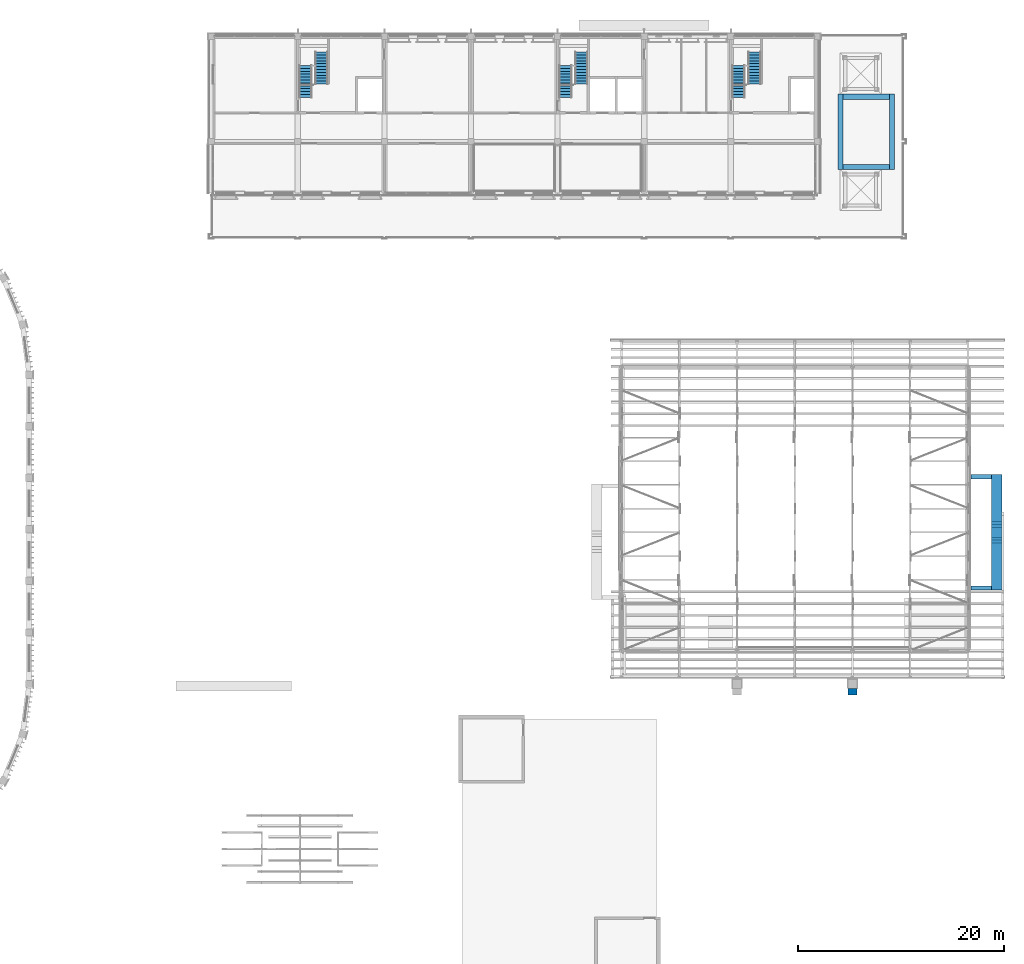
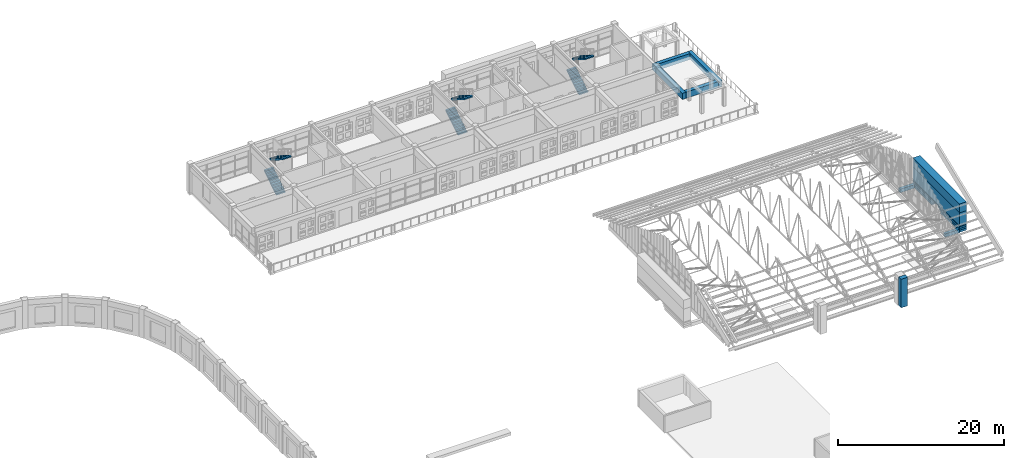
# One storey, part 45 of 71: 16 walls, 6 stair flights, 3 elements without a shape of their own.
"""IFC4 building model written with IfcOpenShell, lengths in metres."""

import ifcopenshell
import ifcopenshell.guid

model = None  # the IFC model being written
_history = None  # IfcOwnerHistory: only IFC2X3 demands one
_inside = {}  # id of a spatial element -> (the spatial element, [elements in it])
_under = {}  # id of a project, library or spatial element -> (it, [spatial elements below it])
_declared = {}  # id of a project -> (the project, [libraries it declares])
_typed = {}  # id of a type object -> (the type object, [elements of that type])
_made_of = {}  # id of a material, layer set ... -> (it, [elements and type objects made of it])


def new_model(schema):
    """Start an empty IFC model of exactly this schema.

    Asked for "IFC4X3", IfcOpenShell would pick the latest addendum, in which some entities
    have other attributes; the version numbers below select the first issue.
    IFC2X3 requires an IfcOwnerHistory on every rooted entity: one is made here for all.
    """
    global model, _history
    if schema == "IFC4X3":
        model = ifcopenshell.file(schema_version=(4, 3, 0, 0))
    else:
        model = ifcopenshell.file(schema=schema)
    _inside.clear()
    _under.clear()
    _declared.clear()
    _typed.clear()
    _made_of.clear()
    _history = None
    if model.schema == "IFC2X3":
        org = make("IfcOrganization", Name="unknown")
        user = make(
            "IfcPersonAndOrganization",
            ThePerson=make("IfcPerson", FamilyName="unknown"),
            TheOrganization=org,
        )
        app = make(
            "IfcApplication",
            ApplicationDeveloper=org,
            Version="unknown",
            ApplicationFullName="unknown",
            ApplicationIdentifier="unknown",
        )
        _history = make(
            "IfcOwnerHistory",
            OwningUser=user,
            OwningApplication=app,
            ChangeAction="ADDED",
            CreationDate=0,
        )
    return model


def make(cls, **values):
    """One entity of the class cls with the attributes given. An attribute that is None is left unset."""
    return model.create_entity(
        cls, **{name: value for name, value in values.items() if value is not None}
    )


def rooted(cls, **values):
    """An entity with a GlobalId (a new one), such as an element, a storey or a relation."""
    return make(cls, GlobalId=ifcopenshell.guid.new(), OwnerHistory=_history, **values)


def si_unit(unit_type, name, prefix=None):
    """IfcSIUnit, for example si_unit("LENGTHUNIT", "METRE", prefix="MILLI")."""
    return make("IfcSIUnit", UnitType=unit_type, Prefix=prefix, Name=name)


def assignment(units):
    """IfcUnitAssignment: the units of a project."""
    return None if units is None else make("IfcUnitAssignment", Units=units)


def point(xyz):
    """IfcCartesianPoint."""
    return None if xyz is None else make("IfcCartesianPoint", Coordinates=xyz)


def direction(xyz):
    """IfcDirection."""
    return None if xyz is None else make("IfcDirection", DirectionRatios=xyz)


def frame(location, z_axis=None, x_axis=None):
    """IfcAxis2Placement3D, a coordinate frame: its origin and axes. An axis left out is left unset."""
    return make(
        "IfcAxis2Placement3D",
        Location=point(location),
        Axis=direction(z_axis),
        RefDirection=direction(x_axis),
    )


def frame_2d(location, x_axis=None):
    """IfcAxis2Placement2D, a coordinate frame in the plane: its origin and x axis."""
    return make(
        "IfcAxis2Placement2D", Location=point(location), RefDirection=direction(x_axis)
    )


def origin():
    """The frame at (0, 0, 0) with its axes left unset."""
    return frame((0.0, 0.0, 0.0))


def place(relative_to, where):
    """IfcLocalPlacement: puts the frame where relative to a parent placement (None: the world)."""
    return make(
        "IfcLocalPlacement", PlacementRelTo=relative_to, RelativePlacement=where
    )


def context(
    kind, dimensions, precision=None, world=None, true_north=None, identifier=None
):
    """IfcGeometricRepresentationContext, for example the 3D "Model" context."""
    return make(
        "IfcGeometricRepresentationContext",
        ContextIdentifier=identifier,
        ContextType=kind,
        CoordinateSpaceDimension=dimensions,
        Precision=precision,
        WorldCoordinateSystem=world,
        TrueNorth=true_north,
    )


def subcontext(parent, identifier, kind, view, scale=None):
    """IfcGeometricRepresentationSubContext, for example "Body" below "Model"."""
    return make(
        "IfcGeometricRepresentationSubContext",
        ContextIdentifier=identifier,
        ContextType=kind,
        ParentContext=parent,
        TargetScale=scale,
        TargetView=view,
    )


def project(units=None, contexts=None):
    """IfcProject with its units and contexts."""
    return rooted(
        "IfcProject",
        Name="project",
        RepresentationContexts=contexts,
        UnitsInContext=assignment(units),
    )


def spatial(cls, under=None, at=None, **own):
    """A site, building, storey or space (cls), placed at a placement, below another one or the project."""
    s = rooted(cls, ObjectPlacement=at, **own)
    if under is not None:
        _under.setdefault(under.id(), (under, []))[1].append(s)
    return s


def polyline(points):
    """IfcPolyline through the points."""
    return make("IfcPolyline", Points=[point(p) for p in points])


def profile(cls, at=None, kind="AREA", **sizes):
    """A parametric profile (cls). Its sizes go by their IFC names, for example OverallWidth=200.0."""
    return make(cls, ProfileType=kind, Position=at, **sizes)


def rectangle(**sizes):
    """IfcRectangleProfileDef."""
    return profile("IfcRectangleProfileDef", **sizes)


def outline(outer, holes=None, kind="AREA"):
    """IfcArbitraryClosedProfileDef: a profile drawn as a closed curve; with holes, ...WithVoids."""
    if holes is None:
        return make("IfcArbitraryClosedProfileDef", ProfileType=kind, OuterCurve=outer)
    return make(
        "IfcArbitraryProfileDefWithVoids",
        ProfileType=kind,
        OuterCurve=outer,
        InnerCurves=holes,
    )


def extrude(swept, where, along, depth):
    """IfcExtrudedAreaSolid: the profile swept, set in the frame where, extruded along a direction by depth."""
    return make(
        "IfcExtrudedAreaSolid",
        SweptArea=swept,
        Position=where,
        ExtrudedDirection=direction(along),
        Depth=depth,
    )


def shape(context_of_items, identifier, shape_type, items):
    """IfcShapeRepresentation: the items that make up one representation, for example the "Body"."""
    return make(
        "IfcShapeRepresentation",
        ContextOfItems=context_of_items,
        RepresentationIdentifier=identifier,
        RepresentationType=shape_type,
        Items=items,
    )


def material(Name=None, Category=None):
    """IfcMaterial."""
    return make("IfcMaterial", Name=Name, Category=Category)


def layer(
    of_material, thickness, ventilated=None, Name=None, Category=None, Priority=None
):
    """IfcMaterialLayer: one layer of a wall or slab, of a material (None: an air gap)."""
    return make(
        "IfcMaterialLayer",
        Material=of_material,
        LayerThickness=thickness,
        IsVentilated=ventilated,
        Name=Name,
        Category=Category,
        Priority=Priority,
    )


def layer_set(layers, Name=None):
    """IfcMaterialLayerSet."""
    return make("IfcMaterialLayerSet", MaterialLayers=layers, LayerSetName=Name)


def made_of(thing, what):
    """Note that an element or type object is made of a material, layer set ...; save() writes the relation."""
    if what is not None:
        _made_of.setdefault(what.id(), (what, []))[1].append(thing)
    return thing


def type_object(cls, material=None, **own):
    """A type object (cls), such as IfcWallType, which elements share."""
    return made_of(rooted(cls, **own), material)


def element(
    cls,
    number,
    at=None,
    inside=None,
    cuts=None,
    type_object=None,
    material=None,
    context=None,
    identifier="Body",
    shape_type=None,
    held_by="IfcProductDefinitionShape",
    body=None,
    shapes=None,
    **own,
):
    """One element of the class cls, such as IfcWall. Its Tag is "e" and its number.

    at: its placement. inside: the storey or other place that contains it. cuts: it is an
    opening in that element (IfcRelVoidsElement). A single representation is given by context,
    identifier, shape_type and body (its items); several are given by shapes. held_by: the class
    of the entity that holds the representations. save() writes the other relations.
    """
    e = rooted(cls, Tag="e%d" % number, ObjectPlacement=at, **own)
    if body is not None:
        shapes = [shape(context, identifier, shape_type, body)]
    if shapes is not None:
        e.Representation = make(held_by, Representations=shapes)
    if inside is not None:
        _inside.setdefault(inside.id(), (inside, []))[1].append(e)
    if cuts is not None:
        rooted(
            "IfcRelVoidsElement", RelatingBuildingElement=cuts, RelatedOpeningElement=e
        )
    if type_object is not None:
        _typed.setdefault(type_object.id(), (type_object, []))[1].append(e)
    return made_of(e, material)


def aggregate(whole, parts):
    """IfcRelAggregates: a whole, such as a stair, and the parts it consists of."""
    return rooted("IfcRelAggregates", RelatingObject=whole, RelatedObjects=parts)


def save(model, path):
    """Write the relations noted so far, then the file.

    IfcRelAggregates (storeys below a building ...), IfcRelContainedInSpatialStructure (elements
    in a storey), IfcRelDefinesByType, IfcRelAssociatesMaterial and IfcRelDeclares: one each for
    every whole, place, type object, material and project.
    """
    for whole, parts in _under.values():
        aggregate(whole, parts)
    for where, things in _inside.values():
        rooted(
            "IfcRelContainedInSpatialStructure",
            RelatedElements=things,
            RelatingStructure=where,
        )
    for kind, things in _typed.values():
        rooted("IfcRelDefinesByType", RelatedObjects=things, RelatingType=kind)
    for what, things in _made_of.values():
        rooted("IfcRelAssociatesMaterial", RelatedObjects=things, RelatingMaterial=what)
    for by, libraries in _declared.values():
        rooted("IfcRelDeclares", RelatingContext=by, RelatedDefinitions=libraries)
    model.write(path)


model = new_model("IFC4")

# Units and contexts
model_context = context("Model", 3, precision=1e-05, world=origin(), true_north=direction((0.0, 1.0)))
body_context = subcontext(model_context, "Body", "Model", "MODEL_VIEW")
ifc_project = project(units=[si_unit("LENGTHUNIT", "METRE"), si_unit("AREAUNIT", "SQUARE_METRE"), si_unit("VOLUMEUNIT", "CUBIC_METRE"), si_unit("PLANEANGLEUNIT", "RADIAN"), si_unit("MASSUNIT", "GRAM", prefix="KILO")], contexts=[model_context])

# Site, building, storey
site_placement = place(None, origin())
site = spatial("IfcSite", under=ifc_project, at=site_placement, CompositionType="ELEMENT")
building_placement = place(site_placement, origin())
building = spatial("IfcBuilding", under=site, at=building_placement, Name="Wasatch Bagh Community Centre", CompositionType="ELEMENT")
storey_placement = place(building_placement, frame((0.0, 0.0, 12.60009765625)))
storey = spatial("IfcBuildingStorey", under=building, at=storey_placement, Name="L03", CompositionType="ELEMENT", Elevation=12.60009765625)

# Walls
ifc_material_1 = material(Name="Concrete C40", Category="concrete")
ifc_layer_1 = layer(ifc_material_1, 0.60009765625)
ifc_layer_set_1 = layer_set([ifc_layer_1], Name="Concrete C40")
wall_type_1 = type_object("IfcWallType", Name="CL-W4", PredefinedType="STANDARD", material=ifc_layer_set_1)
wall_1_placement = place(storey_placement, frame((134.14990234375, 34.25, 0.0), z_axis=(0.0, 0.0, 1.0), x_axis=(1.0, 0.0, 0.0)))
element("IfcWall", 1, at=wall_1_placement, inside=storey, type_object=wall_type_1, Name="CL-W4 pier buttress SHP2", PredefinedType="STANDARD", context=body_context, shape_type="SweptSolid", body=[
    extrude(rectangle(XDim=0.900146484375, YDim=0.60009765625, at=frame_2d((0.4501953125, 0.0))), origin(), (0.0, 0.0, 1.0), 4.199951171875),
])
ifc_material_2 = material(Name="Concrete C35", Category="concrete")
ifc_layer_2 = layer(ifc_material_2, 0.5)
ifc_layer_set_2 = layer_set([ifc_layer_2], Name="Concrete C35")
wall_type_2 = type_object("IfcWallType", Name="LW planter trough wall 500", PredefinedType="SOLIDWALL", material=ifc_layer_set_2)
for number, where, z_axis, x_axis, name in (
    (2, (133.699951171875, 85.14990234375, 0.0), (0.0, 0.0, 1.0), (1.0, 0.0, 0.0), "Planter wall T3"),
    (3, (133.699951171875, 91.949951171875, 0.0), (0.0, 0.0, 1.0), (1.0, 0.0, 0.0), "Planter wall T3"),
):
    element("IfcWall", number, at=place(storey_placement, frame(where, z_axis=z_axis, x_axis=x_axis)), inside=storey, type_object=wall_type_2, Name=name, PredefinedType="SOLIDWALL", context=body_context, shape_type="SweptSolid", body=[
        extrude(rectangle(XDim=4.5, YDim=0.5, at=frame_2d((2.25, 0.0))), origin(), (0.0, 0.0, 1.0), 0.89990234375),
    ])
for number, where, z_axis, x_axis, name in (
    (4, (133.449951171875, 84.89990234375, 0.0), (0.0, 0.0, 1.0), (0.0, 1.0, 0.0), "Planter wall T3"),
    (5, (138.449951171875, 84.89990234375, 0.0), (0.0, 0.0, 1.0), (0.0, 1.0, 0.0), "Planter wall T3"),
):
    element("IfcWall", number, at=place(storey_placement, frame(where, z_axis=z_axis, x_axis=x_axis)), inside=storey, type_object=wall_type_2, Name=name, PredefinedType="SOLIDWALL", context=body_context, shape_type="SweptSolid", body=[
        extrude(rectangle(XDim=7.300048828125, YDim=0.5, at=frame_2d((3.64990234375, 0.0))), origin(), (0.0, 0.0, 1.0), 0.89990234375),
    ])
ifc_layer_3 = layer(ifc_material_1, 1.0)
ifc_layer_set_3 = layer_set([ifc_layer_3], Name="Concrete C40")
wall_type_3 = type_object("IfcWallType", Name="SHEQ-W4", PredefinedType="STANDARD", material=ifc_layer_set_3)
for number, where, z_axis, x_axis, name in (
    (6, (148.60009765625, 55.300048828125, 0.0498046875), (0.0, 0.0, 1.0), (0.0, -1.0, 0.0), "SHEQ-W4 iwan arch spandrel"),
    (7, (148.60009765625, 44.10009765625, 0.0498046875), (0.0, 0.0, 1.0), (0.0, 1.0, 0.0), "SHEQ-W4 iwan arch spandrel"),
):
    element("IfcWall", number, at=place(storey_placement, frame(where, z_axis=z_axis, x_axis=x_axis)), inside=storey, type_object=wall_type_3, Name=name, PredefinedType="STANDARD", context=body_context, shape_type="SweptSolid", body=[
        extrude(rectangle(XDim=4.567626953125, YDim=1.0, at=frame_2d((2.28369140625, 0.0))), origin(), (0.0, 0.0, 1.0), 0.300048828125),
    ])
wall_2_placement = place(storey_placement, frame((148.60009765625, 55.300048828125, 0.349853515625), z_axis=(0.0, 0.0, 1.0), x_axis=(0.0, -1.0, 0.0)))
element("IfcWall", 8, at=wall_2_placement, inside=storey, type_object=wall_type_3, Name="SHEQ-W4 iwan arch spandrel", PredefinedType="STANDARD", context=body_context, shape_type="SweptSolid", body=[
    extrude(rectangle(XDim=4.8505859375, YDim=1.0, at=frame_2d((2.42529296875, 0.0))), origin(), (0.0, 0.0, 1.0), 0.25),
])
wall_3_placement = place(storey_placement, frame((148.60009765625, 44.10009765625, 0.349853515625), z_axis=(0.0, 0.0, 1.0), x_axis=(0.0, 1.0, 0.0)))
element("IfcWall", 9, at=wall_3_placement, inside=storey, type_object=wall_type_3, Name="SHEQ-W4 iwan arch spandrel", PredefinedType="STANDARD", context=body_context, shape_type="SweptSolid", body=[
    extrude(rectangle(XDim=4.850341796875, YDim=1.0, at=frame_2d((2.42529296875, 0.0))), origin(), (0.0, 0.0, 1.0), 0.25),
])
wall_4_placement = place(storey_placement, frame((148.60009765625, 55.300048828125, 0.599853515625), z_axis=(0.0, 0.0, 1.0), x_axis=(0.0, -1.0, 0.0)))
element("IfcWall", 10, at=wall_4_placement, inside=storey, type_object=wall_type_3, Name="SHEQ-W4 iwan arch spandrel", PredefinedType="STANDARD", context=body_context, shape_type="SweptSolid", body=[
    extrude(rectangle(XDim=5.114013671875, YDim=1.0, at=frame_2d((2.55712890625, 0.0))), origin(), (0.0, 0.0, 1.0), 0.25),
])
wall_5_placement = place(storey_placement, frame((148.60009765625, 44.10009765625, 0.599853515625), z_axis=(0.0, 0.0, 1.0), x_axis=(0.0, 1.0, 0.0)))
element("IfcWall", 11, at=wall_5_placement, inside=storey, type_object=wall_type_3, Name="SHEQ-W4 iwan arch spandrel", PredefinedType="STANDARD", context=body_context, shape_type="SweptSolid", body=[
    extrude(rectangle(XDim=5.11376953125, YDim=1.0, at=frame_2d((2.556884765625, 0.0))), origin(), (0.0, 0.0, 1.0), 0.25),
])
wall_6_placement = place(storey_placement, frame((148.60009765625, 55.300048828125, 0.849853515625), z_axis=(0.0, 0.0, 1.0), x_axis=(0.0, -1.0, 0.0)))
element("IfcWall", 12, at=wall_6_placement, inside=storey, type_object=wall_type_3, Name="SHEQ-W4 iwan arch spandrel", PredefinedType="STANDARD", context=body_context, shape_type="SweptSolid", body=[
    extrude(rectangle(XDim=11.199951171875, YDim=1.0, at=frame_2d((5.60009765625, 0.0))), origin(), (0.0, 0.0, 1.0), 0.150146484375),
])
wall_7_placement = place(storey_placement, frame((148.60009765625, 55.300048828125, 1.0), z_axis=(0.0, 0.0, 1.0), x_axis=(0.0, -1.0, 0.0)))
element("IfcWall", 13, at=wall_7_placement, inside=storey, type_object=wall_type_3, Name="SHEQ-W4 iwan arch band", PredefinedType="STANDARD", context=body_context, shape_type="SweptSolid", body=[
    extrude(rectangle(XDim=11.199951171875, YDim=1.0, at=frame_2d((5.60009765625, 0.0))), origin(), (0.0, 0.0, 1.0), 1.89990234375),
])
wall_8_placement = place(storey_placement, frame((148.60009765625, 55.300048828125, 2.89990234375), z_axis=(0.0, 0.0, 1.0), x_axis=(0.0, -1.0, 0.0)))
element("IfcWall", 14, at=wall_8_placement, inside=storey, type_object=wall_type_3, Name="SHEQ-W4 iwan cornice band", PredefinedType="STANDARD", context=body_context, shape_type="SweptSolid", body=[
    extrude(rectangle(XDim=11.199951171875, YDim=1.0, at=frame_2d((5.60009765625, 0.0))), origin(), (0.0, 0.0, 1.0), 1.300048828125),
])
ifc_layer_4 = layer(ifc_material_1, 0.39990234375)
ifc_layer_set_4 = layer_set([ifc_layer_4], Name="Concrete C40")
wall_type_4 = type_object("IfcWallType", Name="SHEQ-W5", PredefinedType="STANDARD", material=ifc_layer_set_4)
for number, where, z_axis, x_axis, name in (
    (15, (148.10009765625, 55.10009765625, 0.0), (0.0, 0.0, 1.0), (-1.0, 0.0, 0.0), "SHEQ-W5 pishtaq return wall W"),
    (16, (148.10009765625, 44.300048828125, 0.0), (0.0, 0.0, 1.0), (-1.0, 0.0, 0.0), "SHEQ-W5 pishtaq return wall E"),
):
    element("IfcWall", number, at=place(storey_placement, frame(where, z_axis=z_axis, x_axis=x_axis)), inside=storey, type_object=wall_type_4, Name=name, PredefinedType="STANDARD", context=body_context, shape_type="SweptSolid", body=[
        extrude(rectangle(XDim=2.0, YDim=0.39990234375, at=frame_2d((1.0, 0.0))), origin(), (0.0, 0.0, 1.0), 0.5),
    ])

# Stair, stair flights
stair_type = type_object("IfcStairType", Name="LW core stair", PredefinedType="HALF_TURN_STAIR", material=ifc_material_2)
stair_1_placement = place(storey_placement, origin())
stair_1 = element("IfcStair", 17, at=stair_1_placement, inside=storey, type_object=stair_type, Name="Stair Stair and Lift C1", PredefinedType="HALF_TURN_STAIR")
stair_flight_type = type_object("IfcStairFlightType", Name="LW stair flight 1260", PredefinedType="STRAIGHT", material=ifc_material_2)
stair_flight_1_placement = place(storey_placement, frame((81.554931640625, 91.89990234375, 0.0), z_axis=(0.0, 0.0, 1.0), x_axis=(0.0, 1.0, 0.0)))
stair_flight_1 = element("IfcStairFlight", 18, at=stair_flight_1_placement, type_object=stair_flight_type, Name="ST-C1-3 flight 1", NumberOfRisers=12, NumberOfTreads=11, PredefinedType="STRAIGHT", RiserHeight=0.175, TreadLength=0.28, context=body_context, shape_type="SweptSolid", body=[
    extrude(outline(polyline([(0.0, 0.0), (0.0, 0.175048828125), (0.280029296875, 0.175048828125), (0.280029296875, 0.35009765625), (0.56005859375, 0.35009765625), (0.56005859375, 0.52490234375), (0.840087890625, 0.52490234375), (0.840087890625, 0.699951171875), (1.1201171875, 0.699951171875), (1.1201171875, 0.875), (1.39990234375, 0.875), (1.39990234375, 1.050048828125), (1.679931640625, 1.050048828125), (1.679931640625, 1.22509765625), (1.9599609375, 1.22509765625), (1.9599609375, 1.39990234375), (2.239990234375, 1.39990234375), (2.239990234375, 1.574951171875), (2.52001953125, 1.574951171875), (2.52001953125, 1.75), (2.800048828125, 1.75), (2.800048828125, 1.925048828125), (3.080078125, 1.925048828125), (3.080078125, 2.10009765625), (3.080078125, 1.748291015625), (0.28271484375, 0.0), (0.0, 0.0)])), frame((0.0, 0.6298828125, 0.0), z_axis=(0.0, -1.0, 0.0), x_axis=(1.0, 0.0, 0.0)), (0.0, 0.0, 1.0), 1.260009765625),
])
stair_flight_2_placement = place(storey_placement, frame((83.094970703125, 96.280029296875, 2.099853515625), z_axis=(0.0, 0.0, 1.0), x_axis=(0.0, -1.0, 0.0)))
stair_flight_2 = element("IfcStairFlight", 19, at=stair_flight_2_placement, type_object=stair_flight_type, Name="ST-C1-3 flight 2", NumberOfRisers=12, NumberOfTreads=11, PredefinedType="STRAIGHT", RiserHeight=0.175, TreadLength=0.28, context=body_context, shape_type="SweptSolid", body=[
    extrude(outline(polyline([(0.0, 0.0), (0.0, 0.175048828125), (0.280029296875, 0.175048828125), (0.280029296875, 0.35009765625), (0.56005859375, 0.35009765625), (0.56005859375, 0.52490234375), (0.840087890625, 0.52490234375), (0.840087890625, 0.699951171875), (1.1201171875, 0.699951171875), (1.1201171875, 0.875), (1.39990234375, 0.875), (1.39990234375, 1.050048828125), (1.679931640625, 1.050048828125), (1.679931640625, 1.22509765625), (1.9599609375, 1.22509765625), (1.9599609375, 1.39990234375), (2.239990234375, 1.39990234375), (2.239990234375, 1.574951171875), (2.52001953125, 1.574951171875), (2.52001953125, 1.75), (2.800048828125, 1.75), (2.800048828125, 1.925048828125), (3.080078125, 1.925048828125), (3.080078125, 2.10009765625), (3.080078125, 1.748291015625), (0.28271484375, 0.0), (0.0, 0.0)])), frame((0.0, 0.6298828125, 0.0), z_axis=(0.0, -1.0, 0.0), x_axis=(1.0, 0.0, 0.0)), (0.0, 0.0, 1.0), 1.260009765625),
])
aggregate(stair_1, [stair_flight_1, stair_flight_2])

stair_2_placement = place(storey_placement, origin())
stair_2 = element("IfcStair", 20, at=stair_2_placement, inside=storey, type_object=stair_type, Name="Stair Stair and Lift C2", PredefinedType="HALF_TURN_STAIR")
stair_flight_3_placement = place(storey_placement, frame((106.7548828125, 91.89990234375, 0.0), z_axis=(0.0, 0.0, 1.0), x_axis=(0.0, 1.0, 0.0)))
stair_flight_3 = element("IfcStairFlight", 21, at=stair_flight_3_placement, type_object=stair_flight_type, Name="ST-C2-3 flight 1", NumberOfRisers=12, NumberOfTreads=11, PredefinedType="STRAIGHT", RiserHeight=0.175, TreadLength=0.28, context=body_context, shape_type="SweptSolid", body=[
    extrude(outline(polyline([(0.0, 0.0), (0.0, 0.175048828125), (0.280029296875, 0.175048828125), (0.280029296875, 0.35009765625), (0.56005859375, 0.35009765625), (0.56005859375, 0.52490234375), (0.840087890625, 0.52490234375), (0.840087890625, 0.699951171875), (1.1201171875, 0.699951171875), (1.1201171875, 0.875), (1.39990234375, 0.875), (1.39990234375, 1.050048828125), (1.679931640625, 1.050048828125), (1.679931640625, 1.22509765625), (1.9599609375, 1.22509765625), (1.9599609375, 1.39990234375), (2.239990234375, 1.39990234375), (2.239990234375, 1.574951171875), (2.52001953125, 1.574951171875), (2.52001953125, 1.75), (2.800048828125, 1.75), (2.800048828125, 1.925048828125), (3.080078125, 1.925048828125), (3.080078125, 2.10009765625), (3.080078125, 1.748291015625), (0.28271484375, 0.0), (0.0, 0.0)])), frame((0.0, 0.6298828125, 0.0), z_axis=(0.0, -1.0, 0.0), x_axis=(1.0, 0.0, 0.0)), (0.0, 0.0, 1.0), 1.260009765625),
])
stair_flight_4_placement = place(storey_placement, frame((108.294921875, 96.280029296875, 2.099853515625), z_axis=(0.0, 0.0, 1.0), x_axis=(0.0, -1.0, 0.0)))
stair_flight_4 = element("IfcStairFlight", 22, at=stair_flight_4_placement, type_object=stair_flight_type, Name="ST-C2-3 flight 2", NumberOfRisers=12, NumberOfTreads=11, PredefinedType="STRAIGHT", RiserHeight=0.175, TreadLength=0.28, context=body_context, shape_type="SweptSolid", body=[
    extrude(outline(polyline([(0.0, 0.0), (0.0, 0.175048828125), (0.280029296875, 0.175048828125), (0.280029296875, 0.35009765625), (0.56005859375, 0.35009765625), (0.56005859375, 0.52490234375), (0.840087890625, 0.52490234375), (0.840087890625, 0.699951171875), (1.1201171875, 0.699951171875), (1.1201171875, 0.875), (1.39990234375, 0.875), (1.39990234375, 1.050048828125), (1.679931640625, 1.050048828125), (1.679931640625, 1.22509765625), (1.9599609375, 1.22509765625), (1.9599609375, 1.39990234375), (2.239990234375, 1.39990234375), (2.239990234375, 1.574951171875), (2.52001953125, 1.574951171875), (2.52001953125, 1.75), (2.800048828125, 1.75), (2.800048828125, 1.925048828125), (3.080078125, 1.925048828125), (3.080078125, 2.10009765625), (3.080078125, 1.748291015625), (0.28271484375, 0.0), (0.0, 0.0)])), frame((0.0, 0.6298828125, 0.0), z_axis=(0.0, -1.0, 0.0), x_axis=(1.0, 0.0, 0.0)), (0.0, 0.0, 1.0), 1.260009765625),
])
aggregate(stair_2, [stair_flight_3, stair_flight_4])

stair_3_placement = place(storey_placement, origin())
stair_3 = element("IfcStair", 23, at=stair_3_placement, inside=storey, type_object=stair_type, Name="Stair Stair and Lift C3", PredefinedType="HALF_TURN_STAIR")
stair_flight_5_placement = place(storey_placement, frame((123.554931640625, 91.89990234375, 0.0), z_axis=(0.0, 0.0, 1.0), x_axis=(0.0, 1.0, 0.0)))
stair_flight_5 = element("IfcStairFlight", 24, at=stair_flight_5_placement, type_object=stair_flight_type, Name="ST-C3-3 flight 1", NumberOfRisers=12, NumberOfTreads=11, PredefinedType="STRAIGHT", RiserHeight=0.175, TreadLength=0.28, context=body_context, shape_type="SweptSolid", body=[
    extrude(outline(polyline([(0.0, 0.0), (0.0, 0.175048828125), (0.280029296875, 0.175048828125), (0.280029296875, 0.35009765625), (0.56005859375, 0.35009765625), (0.56005859375, 0.52490234375), (0.840087890625, 0.52490234375), (0.840087890625, 0.699951171875), (1.1201171875, 0.699951171875), (1.1201171875, 0.875), (1.39990234375, 0.875), (1.39990234375, 1.050048828125), (1.679931640625, 1.050048828125), (1.679931640625, 1.22509765625), (1.9599609375, 1.22509765625), (1.9599609375, 1.39990234375), (2.239990234375, 1.39990234375), (2.239990234375, 1.574951171875), (2.52001953125, 1.574951171875), (2.52001953125, 1.75), (2.800048828125, 1.75), (2.800048828125, 1.925048828125), (3.080078125, 1.925048828125), (3.080078125, 2.10009765625), (3.080078125, 1.748291015625), (0.28271484375, 0.0), (0.0, 0.0)])), frame((0.0, 0.6298828125, 0.0), z_axis=(0.0, -1.0, 0.0), x_axis=(1.0, 0.0, 0.0)), (0.0, 0.0, 1.0), 1.260009765625),
])
stair_flight_6_placement = place(storey_placement, frame((125.094970703125, 96.280029296875, 2.099853515625), z_axis=(0.0, 0.0, 1.0), x_axis=(0.0, -1.0, 0.0)))
stair_flight_6 = element("IfcStairFlight", 25, at=stair_flight_6_placement, type_object=stair_flight_type, Name="ST-C3-3 flight 2", NumberOfRisers=12, NumberOfTreads=11, PredefinedType="STRAIGHT", RiserHeight=0.175, TreadLength=0.28, context=body_context, shape_type="SweptSolid", body=[
    extrude(outline(polyline([(0.0, 0.0), (0.0, 0.175048828125), (0.280029296875, 0.175048828125), (0.280029296875, 0.35009765625), (0.56005859375, 0.35009765625), (0.56005859375, 0.52490234375), (0.840087890625, 0.52490234375), (0.840087890625, 0.699951171875), (1.1201171875, 0.699951171875), (1.1201171875, 0.875), (1.39990234375, 0.875), (1.39990234375, 1.050048828125), (1.679931640625, 1.050048828125), (1.679931640625, 1.22509765625), (1.9599609375, 1.22509765625), (1.9599609375, 1.39990234375), (2.239990234375, 1.39990234375), (2.239990234375, 1.574951171875), (2.52001953125, 1.574951171875), (2.52001953125, 1.75), (2.800048828125, 1.75), (2.800048828125, 1.925048828125), (3.080078125, 1.925048828125), (3.080078125, 2.10009765625), (3.080078125, 1.748291015625), (0.28271484375, 0.0), (0.0, 0.0)])), frame((0.0, 0.6298828125, 0.0), z_axis=(0.0, -1.0, 0.0), x_axis=(1.0, 0.0, 0.0)), (0.0, 0.0, 1.0), 1.260009765625),
])
aggregate(stair_3, [stair_flight_5, stair_flight_6])

save(model, "model.ifc")
